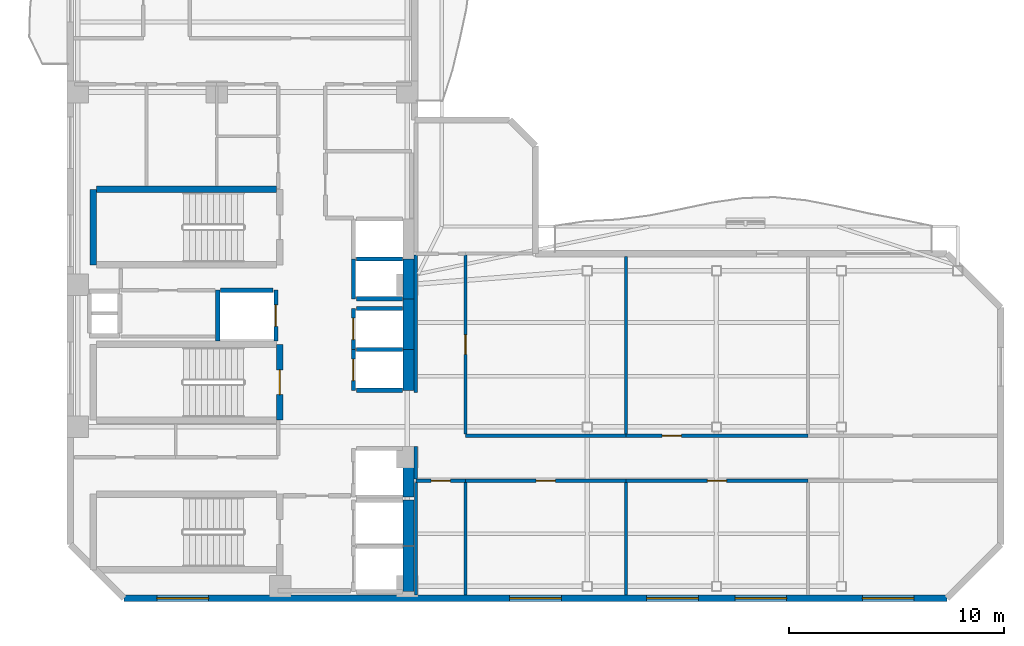
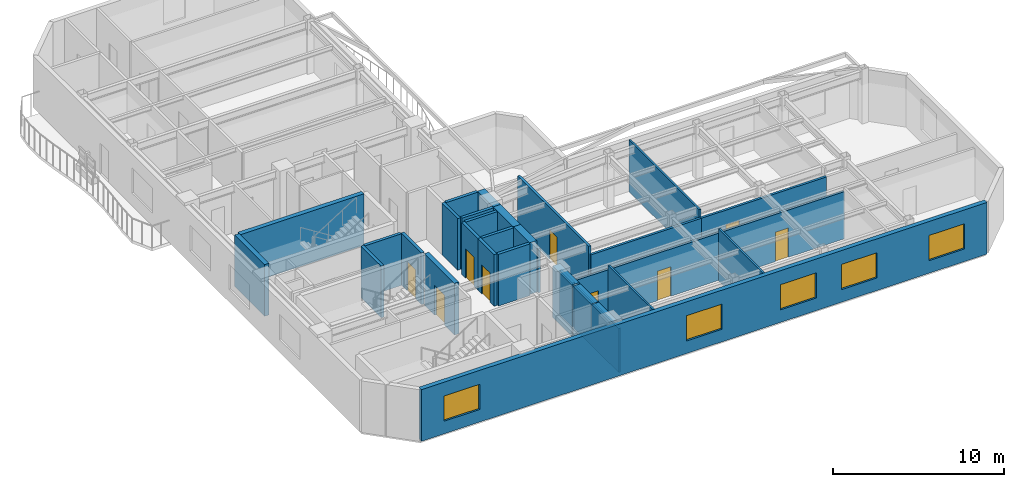
# One storey, part 3 of 9: 33 walls, 9 doors, 5 windows, 14 openings.
"""IFC4 building model written with IfcOpenShell, lengths in metres."""

import ifcopenshell
import ifcopenshell.guid

model = None  # the IFC model being written
_history = None  # IfcOwnerHistory: only IFC2X3 demands one
_inside = {}  # id of a spatial element -> (the spatial element, [elements in it])
_under = {}  # id of a project, library or spatial element -> (it, [spatial elements below it])
_declared = {}  # id of a project -> (the project, [libraries it declares])
_typed = {}  # id of a type object -> (the type object, [elements of that type])
_made_of = {}  # id of a material, layer set ... -> (it, [elements and type objects made of it])


def new_model(schema):
    """Start an empty IFC model of exactly this schema.

    Asked for "IFC4X3", IfcOpenShell would pick the latest addendum, in which some entities
    have other attributes; the version numbers below select the first issue.
    IFC2X3 requires an IfcOwnerHistory on every rooted entity: one is made here for all.
    """
    global model, _history
    if schema == "IFC4X3":
        model = ifcopenshell.file(schema_version=(4, 3, 0, 0))
    else:
        model = ifcopenshell.file(schema=schema)
    _inside.clear()
    _under.clear()
    _declared.clear()
    _typed.clear()
    _made_of.clear()
    _history = None
    if model.schema == "IFC2X3":
        org = make("IfcOrganization", Name="unknown")
        user = make(
            "IfcPersonAndOrganization",
            ThePerson=make("IfcPerson", FamilyName="unknown"),
            TheOrganization=org,
        )
        app = make(
            "IfcApplication",
            ApplicationDeveloper=org,
            Version="unknown",
            ApplicationFullName="unknown",
            ApplicationIdentifier="unknown",
        )
        _history = make(
            "IfcOwnerHistory",
            OwningUser=user,
            OwningApplication=app,
            ChangeAction="ADDED",
            CreationDate=0,
        )
    return model


def make(cls, **values):
    """One entity of the class cls with the attributes given. An attribute that is None is left unset."""
    return model.create_entity(
        cls, **{name: value for name, value in values.items() if value is not None}
    )


def rooted(cls, **values):
    """An entity with a GlobalId (a new one), such as an element, a storey or a relation."""
    return make(cls, GlobalId=ifcopenshell.guid.new(), OwnerHistory=_history, **values)


def si_unit(unit_type, name, prefix=None):
    """IfcSIUnit, for example si_unit("LENGTHUNIT", "METRE", prefix="MILLI")."""
    return make("IfcSIUnit", UnitType=unit_type, Prefix=prefix, Name=name)


def assignment(units):
    """IfcUnitAssignment: the units of a project."""
    return None if units is None else make("IfcUnitAssignment", Units=units)


def point(xyz):
    """IfcCartesianPoint."""
    return None if xyz is None else make("IfcCartesianPoint", Coordinates=xyz)


def direction(xyz):
    """IfcDirection."""
    return None if xyz is None else make("IfcDirection", DirectionRatios=xyz)


def frame(location, z_axis=None, x_axis=None):
    """IfcAxis2Placement3D, a coordinate frame: its origin and axes. An axis left out is left unset."""
    return make(
        "IfcAxis2Placement3D",
        Location=point(location),
        Axis=direction(z_axis),
        RefDirection=direction(x_axis),
    )


def frame_2d(location, x_axis=None):
    """IfcAxis2Placement2D, a coordinate frame in the plane: its origin and x axis."""
    return make(
        "IfcAxis2Placement2D", Location=point(location), RefDirection=direction(x_axis)
    )


def origin():
    """The frame at (0, 0, 0) with its axes left unset."""
    return frame((0.0, 0.0, 0.0))


def place(relative_to, where):
    """IfcLocalPlacement: puts the frame where relative to a parent placement (None: the world)."""
    return make(
        "IfcLocalPlacement", PlacementRelTo=relative_to, RelativePlacement=where
    )


def context(
    kind, dimensions, precision=None, world=None, true_north=None, identifier=None
):
    """IfcGeometricRepresentationContext, for example the 3D "Model" context."""
    return make(
        "IfcGeometricRepresentationContext",
        ContextIdentifier=identifier,
        ContextType=kind,
        CoordinateSpaceDimension=dimensions,
        Precision=precision,
        WorldCoordinateSystem=world,
        TrueNorth=true_north,
    )


def subcontext(parent, identifier, kind, view, scale=None):
    """IfcGeometricRepresentationSubContext, for example "Body" below "Model"."""
    return make(
        "IfcGeometricRepresentationSubContext",
        ContextIdentifier=identifier,
        ContextType=kind,
        ParentContext=parent,
        TargetScale=scale,
        TargetView=view,
    )


def project(units=None, contexts=None):
    """IfcProject with its units and contexts."""
    return rooted(
        "IfcProject",
        Name="project",
        RepresentationContexts=contexts,
        UnitsInContext=assignment(units),
    )


def spatial(cls, under=None, at=None, **own):
    """A site, building, storey or space (cls), placed at a placement, below another one or the project."""
    s = rooted(cls, ObjectPlacement=at, **own)
    if under is not None:
        _under.setdefault(under.id(), (under, []))[1].append(s)
    return s


def profile(cls, at=None, kind="AREA", **sizes):
    """A parametric profile (cls). Its sizes go by their IFC names, for example OverallWidth=200.0."""
    return make(cls, ProfileType=kind, Position=at, **sizes)


def rectangle(**sizes):
    """IfcRectangleProfileDef."""
    return profile("IfcRectangleProfileDef", **sizes)


def extrude(swept, where, along, depth):
    """IfcExtrudedAreaSolid: the profile swept, set in the frame where, extruded along a direction by depth."""
    return make(
        "IfcExtrudedAreaSolid",
        SweptArea=swept,
        Position=where,
        ExtrudedDirection=direction(along),
        Depth=depth,
    )


def shape(context_of_items, identifier, shape_type, items):
    """IfcShapeRepresentation: the items that make up one representation, for example the "Body"."""
    return make(
        "IfcShapeRepresentation",
        ContextOfItems=context_of_items,
        RepresentationIdentifier=identifier,
        RepresentationType=shape_type,
        Items=items,
    )


def material(Name=None, Category=None):
    """IfcMaterial."""
    return make("IfcMaterial", Name=Name, Category=Category)


def layer(
    of_material, thickness, ventilated=None, Name=None, Category=None, Priority=None
):
    """IfcMaterialLayer: one layer of a wall or slab, of a material (None: an air gap)."""
    return make(
        "IfcMaterialLayer",
        Material=of_material,
        LayerThickness=thickness,
        IsVentilated=ventilated,
        Name=Name,
        Category=Category,
        Priority=Priority,
    )


def layer_set(layers, Name=None):
    """IfcMaterialLayerSet."""
    return make("IfcMaterialLayerSet", MaterialLayers=layers, LayerSetName=Name)


def made_of(thing, what):
    """Note that an element or type object is made of a material, layer set ...; save() writes the relation."""
    if what is not None:
        _made_of.setdefault(what.id(), (what, []))[1].append(thing)
    return thing


def type_object(cls, material=None, **own):
    """A type object (cls), such as IfcWallType, which elements share."""
    return made_of(rooted(cls, **own), material)


def element(
    cls,
    number,
    at=None,
    inside=None,
    cuts=None,
    type_object=None,
    material=None,
    context=None,
    identifier="Body",
    shape_type=None,
    held_by="IfcProductDefinitionShape",
    body=None,
    shapes=None,
    **own,
):
    """One element of the class cls, such as IfcWall. Its Tag is "e" and its number.

    at: its placement. inside: the storey or other place that contains it. cuts: it is an
    opening in that element (IfcRelVoidsElement). A single representation is given by context,
    identifier, shape_type and body (its items); several are given by shapes. held_by: the class
    of the entity that holds the representations. save() writes the other relations.
    """
    e = rooted(cls, Tag="e%d" % number, ObjectPlacement=at, **own)
    if body is not None:
        shapes = [shape(context, identifier, shape_type, body)]
    if shapes is not None:
        e.Representation = make(held_by, Representations=shapes)
    if inside is not None:
        _inside.setdefault(inside.id(), (inside, []))[1].append(e)
    if cuts is not None:
        rooted(
            "IfcRelVoidsElement", RelatingBuildingElement=cuts, RelatedOpeningElement=e
        )
    if type_object is not None:
        _typed.setdefault(type_object.id(), (type_object, []))[1].append(e)
    return made_of(e, material)


def fill(opening, filler):
    """IfcRelFillsElement: the door or window that sits in an opening."""
    return rooted(
        "IfcRelFillsElement",
        RelatingOpeningElement=opening,
        RelatedBuildingElement=filler,
    )


def aggregate(whole, parts):
    """IfcRelAggregates: a whole, such as a stair, and the parts it consists of."""
    return rooted("IfcRelAggregates", RelatingObject=whole, RelatedObjects=parts)


def save(model, path):
    """Write the relations noted so far, then the file.

    IfcRelAggregates (storeys below a building ...), IfcRelContainedInSpatialStructure (elements
    in a storey), IfcRelDefinesByType, IfcRelAssociatesMaterial and IfcRelDeclares: one each for
    every whole, place, type object, material and project.
    """
    for whole, parts in _under.values():
        aggregate(whole, parts)
    for where, things in _inside.values():
        rooted(
            "IfcRelContainedInSpatialStructure",
            RelatedElements=things,
            RelatingStructure=where,
        )
    for kind, things in _typed.values():
        rooted("IfcRelDefinesByType", RelatedObjects=things, RelatingType=kind)
    for what, things in _made_of.values():
        rooted("IfcRelAssociatesMaterial", RelatedObjects=things, RelatingMaterial=what)
    for by, libraries in _declared.values():
        rooted("IfcRelDeclares", RelatingContext=by, RelatedDefinitions=libraries)
    model.write(path)


model = new_model("IFC4")

# Units and contexts
model_context = context("Model", 3, precision=1e-05, world=origin(), true_north=direction((0.0, 1.0)))
body_context = subcontext(model_context, "Body", "Model", "MODEL_VIEW")
ifc_project = project(units=[si_unit("LENGTHUNIT", "METRE"), si_unit("AREAUNIT", "SQUARE_METRE"), si_unit("VOLUMEUNIT", "CUBIC_METRE"), si_unit("PLANEANGLEUNIT", "RADIAN"), si_unit("MASSUNIT", "GRAM", prefix="KILO")], contexts=[model_context])

# Site, building, storey
site_placement = place(None, origin())
site = spatial("IfcSite", under=ifc_project, at=site_placement, CompositionType="ELEMENT")
building_placement = place(site_placement, origin())
building = spatial("IfcBuilding", under=site, at=building_placement, Name="Mawjaban Terraces University", CompositionType="ELEMENT")
storey_placement = place(building_placement, frame((0.0, 0.0, 226.5)))
storey = spatial("IfcBuildingStorey", under=building, at=storey_placement, Name="L55", CompositionType="ELEMENT", Elevation=226.5)

# Walls
ifc_material_1 = material(Name="Concrete C60/75", Category="concrete")
ifc_layer_1 = layer(ifc_material_1, 0.5)
ifc_layer_set_1 = layer_set([ifc_layer_1], Name="Concrete C60/75")
wall_type_1 = type_object("IfcWallType", Name="CoreShearWall_500", PredefinedType="SHEAR", material=ifc_layer_set_1)
wall_1_placement = place(storey_placement, frame((37.699951171875, 0.300048828125, 0.0), z_axis=(0.0, 0.0, 1.0), x_axis=(0.0, 1.0, 0.0)))
element("IfcWall", 1, at=wall_1_placement, inside=storey, type_object=wall_type_1, Name="L55 Lift FL-1 Hoistway Wall East", PredefinedType="SHEAR", context=body_context, shape_type="SweptSolid", body=[
    extrude(rectangle(XDim=2.099853515625, YDim=0.5, at=frame_2d((1.0498046875, 0.0))), origin(), (0.0, 0.0, 1.0), 3.68994140625),
])
wall_2_placement = place(storey_placement, frame((37.699951171875, 2.449951171875, 0.0), z_axis=(0.0, 0.0, 1.0), x_axis=(0.0, 1.0, 0.0)))
element("IfcWall", 2, at=wall_2_placement, inside=storey, type_object=wall_type_1, Name="L55 Lift FL-2 Hoistway Wall East", PredefinedType="SHEAR", context=body_context, shape_type="SweptSolid", body=[
    extrude(rectangle(XDim=2.10009765625, YDim=0.5, at=frame_2d((1.050048828125, 0.0))), origin(), (0.0, 0.0, 1.0), 3.68994140625),
])
wall_3_placement = place(storey_placement, frame((37.699951171875, 4.699951171875, 0.0), z_axis=(0.0, 0.0, 1.0), x_axis=(0.0, 1.0, 0.0)))
element("IfcWall", 3, at=wall_3_placement, inside=storey, type_object=wall_type_1, Name="L55 Lift SL-1 Hoistway Wall East", PredefinedType="SHEAR", context=body_context, shape_type="SweptSolid", body=[
    extrude(rectangle(XDim=2.25, YDim=0.5, at=frame_2d((1.125, 0.0))), origin(), (0.0, 0.0, 1.0), 3.68994140625),
])
wall_4_placement = place(storey_placement, frame((37.699951171875, 9.64990234375, 0.0), z_axis=(0.0, 0.0, 1.0), x_axis=(0.0, 1.0, 0.0)))
element("IfcWall", 4, at=wall_4_placement, inside=storey, type_object=wall_type_1, Name="L55 Lift PL-H1 Hoistway Wall East", PredefinedType="SHEAR", context=body_context, shape_type="SweptSolid", body=[
    extrude(rectangle(XDim=1.900146484375, YDim=0.5, at=frame_2d((0.9501953125, 0.0))), origin(), (0.0, 0.0, 1.0), 3.68994140625),
])
wall_5_placement = place(storey_placement, frame((37.699951171875, 11.550048828125, 0.0), z_axis=(0.0, 0.0, 1.0), x_axis=(0.0, 1.0, 0.0)))
element("IfcWall", 5, at=wall_5_placement, inside=storey, type_object=wall_type_1, Name="L55 Lift PL-H2 Hoistway Wall East", PredefinedType="SHEAR", context=body_context, shape_type="SweptSolid", body=[
    extrude(rectangle(XDim=2.349853515625, YDim=0.5, at=frame_2d((1.1748046875, 0.0))), origin(), (0.0, 0.0, 1.0), 3.68994140625),
])
wall_6_placement = place(storey_placement, frame((37.699951171875, 13.89990234375, 0.0), z_axis=(0.0, 0.0, 1.0), x_axis=(0.0, 1.0, 0.0)))
element("IfcWall", 6, at=wall_6_placement, inside=storey, type_object=wall_type_1, Name="L55 Lift OL-1 Hoistway Wall East", PredefinedType="SHEAR", context=body_context, shape_type="SweptSolid", body=[
    extrude(rectangle(XDim=1.85009765625, YDim=0.5, at=frame_2d((0.925048828125, 0.0))), origin(), (0.0, 0.0, 1.0), 3.68994140625),
])

# Wall, opening, door
ifc_material_2 = material(Name="Fire-rated gypsum board on steel stud", Category="steel")
ifc_layer_2 = layer(ifc_material_2, 0.159912109375)
ifc_layer_set_2 = layer_set([ifc_layer_2], Name="Fire-rated gypsum board on steel stud")
wall_type_2 = type_object("IfcWallType", Name="CorridorPartition_160", PredefinedType="PARTITIONING", material=ifc_layer_set_2)
wall_7_placement = place(storey_placement, frame((38.050048828125, 5.449951171875, 0.0), z_axis=(0.0, 0.0, 1.0), x_axis=(1.0, 0.0, 0.0)))
wall_7 = element("IfcWall", 7, at=wall_7_placement, inside=storey, type_object=wall_type_2, Name="L55 South Spine Spur Link Partition 22", PredefinedType="PARTITIONING", context=body_context, shape_type="SweptSolid", body=[
    extrude(rectangle(XDim=2.300048828125, YDim=0.159912109375, at=frame_2d((1.14990234375, 0.0))), origin(), (0.0, 0.0, 1.0), 3.3720703125),
])
opening_1_placement = place(wall_7_placement, frame((0.699951171875, 0.0, 0.0)))
opening_1 = element("IfcOpeningElement", 8, at=opening_1_placement, cuts=wall_7, Name="Opening ID-090", PredefinedType="OPENING", context=body_context, shape_type="SweptSolid", body=[
    extrude(rectangle(XDim=0.89990234375, YDim=2.10009765625, at=frame_2d((0.449951171875, 1.050048828125))), frame((0.0, 0.08984375, 0.0), z_axis=(0.0, -1.0, 0.0), x_axis=(1.0, 0.0, 0.0)), (0.0, 0.0, 1.0), 0.179931640625),
])
ifc_material_3 = material(Name="Powder-coated steel frame and solid acoustic timber leaf", Category="steel")
door_type_1 = type_object("IfcDoorType", Name="OfficeDoor_900x2100", OperationType="NOTDEFINED", PredefinedType="DOOR", material=ifc_material_3)
door_1_placement = place(opening_1_placement, origin())
door_1 = element("IfcDoor", 9, at=door_1_placement, inside=storey, type_object=door_type_1, Name="L55 Academic Counseling Room 1 Door", OperationType="SINGLE_SWING_LEFT", OverallHeight=2.10009765625, OverallWidth=0.89990234375, PredefinedType="DOOR", context=body_context, shape_type="SweptSolid", body=[
    extrude(rectangle(XDim=0.89990234375, YDim=2.10009765625, at=frame_2d((0.449951171875, 1.050048828125))), frame((0.0, 0.02490234375, 0.0), z_axis=(0.0, -1.0, 0.0), x_axis=(1.0, 0.0, 0.0)), (0.0, 0.0, 1.0), 0.050048828125),
])
fill(opening_1, door_1)

wall_8_placement = place(storey_placement, frame((40.35009765625, 5.449951171875, 0.0), z_axis=(0.0, 0.0, 1.0), x_axis=(1.0, 0.0, 0.0)))
wall_8 = element("IfcWall", 10, at=wall_8_placement, inside=storey, type_object=wall_type_2, Name="L55 South Shifted Academic Corridor Partition 23", PredefinedType="PARTITIONING", context=body_context, shape_type="SweptSolid", body=[
    extrude(rectangle(XDim=7.449951171875, YDim=0.159912109375, at=frame_2d((3.72509765625, 0.0))), origin(), (0.0, 0.0, 1.0), 3.3720703125),
])
opening_2_placement = place(wall_8_placement, frame((3.27490234375, 0.0, 0.0)))
opening_2 = element("IfcOpeningElement", 11, at=opening_2_placement, cuts=wall_8, Name="Opening ID-090", PredefinedType="OPENING", context=body_context, shape_type="SweptSolid", body=[
    extrude(rectangle(XDim=0.89990234375, YDim=2.10009765625, at=frame_2d((0.449951171875, 1.050048828125))), frame((0.0, 0.08984375, 0.0), z_axis=(0.0, -1.0, 0.0), x_axis=(1.0, 0.0, 0.0)), (0.0, 0.0, 1.0), 0.179931640625),
])
door_2_placement = place(opening_2_placement, origin())
door_2 = element("IfcDoor", 12, at=door_2_placement, inside=storey, type_object=door_type_1, Name="L55 Academic Counseling Room 2 Door", OperationType="SINGLE_SWING_RIGHT", OverallHeight=2.10009765625, OverallWidth=0.89990234375, PredefinedType="DOOR", context=body_context, shape_type="SweptSolid", body=[
    extrude(rectangle(XDim=0.89990234375, YDim=2.10009765625, at=frame_2d((0.449951171875, 1.050048828125))), frame((0.0, 0.02490234375, 0.0), z_axis=(0.0, -1.0, 0.0), x_axis=(1.0, 0.0, 0.0)), (0.0, 0.0, 1.0), 0.050048828125),
])
fill(opening_2, door_2)

wall_9_placement = place(storey_placement, frame((47.800048828125, 5.449951171875, 0.0), z_axis=(0.0, 0.0, 1.0), x_axis=(1.0, 0.0, 0.0)))
wall_9 = element("IfcWall", 13, at=wall_9_placement, inside=storey, type_object=wall_type_2, Name="L55 South Shifted Academic Corridor Partition 26", PredefinedType="PARTITIONING", context=body_context, shape_type="SweptSolid", body=[
    extrude(rectangle(XDim=8.449951171875, YDim=0.159912109375, at=frame_2d((4.22509765625, 0.0))), origin(), (0.0, 0.0, 1.0), 3.3720703125),
])
opening_3_placement = place(wall_9_placement, frame((3.77490234375, 0.0, 0.0)))
opening_3 = element("IfcOpeningElement", 14, at=opening_3_placement, cuts=wall_9, Name="Opening ID-090", PredefinedType="OPENING", context=body_context, shape_type="SweptSolid", body=[
    extrude(rectangle(XDim=0.89990234375, YDim=2.10009765625, at=frame_2d((0.449951171875, 1.050048828125))), frame((0.0, 0.08984375, 0.0), z_axis=(0.0, -1.0, 0.0), x_axis=(1.0, 0.0, 0.0)), (0.0, 0.0, 1.0), 0.179931640625),
])
door_3_placement = place(opening_3_placement, origin())
door_3 = element("IfcDoor", 15, at=door_3_placement, inside=storey, type_object=door_type_1, Name="L55 Academic Counseling Room 4 Door", OperationType="SINGLE_SWING_RIGHT", OverallHeight=2.10009765625, OverallWidth=0.89990234375, PredefinedType="DOOR", context=body_context, shape_type="SweptSolid", body=[
    extrude(rectangle(XDim=0.89990234375, YDim=2.10009765625, at=frame_2d((0.449951171875, 1.050048828125))), frame((0.0, 0.02490234375, 0.0), z_axis=(0.0, -1.0, 0.0), x_axis=(1.0, 0.0, 0.0)), (0.0, 0.0, 1.0), 0.050048828125),
])
fill(opening_3, door_3)

# Wall
wall_10_placement = place(storey_placement, frame((47.800048828125, 7.550048828125, 0.0), z_axis=(0.0, 0.0, 1.0), x_axis=(-1.0, 0.0, 0.0)))
element("IfcWall", 16, at=wall_10_placement, inside=storey, type_object=wall_type_2, Name="L55 South Shifted Academic Corridor Partition 27", PredefinedType="PARTITIONING", context=body_context, shape_type="SweptSolid", body=[
    extrude(rectangle(XDim=7.449951171875, YDim=0.159912109375, at=frame_2d((3.72509765625, 0.0))), origin(), (0.0, 0.0, 1.0), 3.14599609375),
])

# Wall, opening, door
wall_11_placement = place(storey_placement, frame((56.25, 7.550048828125, 0.0), z_axis=(0.0, 0.0, 1.0), x_axis=(-1.0, 0.0, 0.0)))
wall_11 = element("IfcWall", 17, at=wall_11_placement, inside=storey, type_object=wall_type_2, Name="L55 South Shifted Academic Corridor Partition 29", PredefinedType="PARTITIONING", context=body_context, shape_type="SweptSolid", body=[
    extrude(rectangle(XDim=8.449951171875, YDim=0.159912109375, at=frame_2d((4.22509765625, 0.0))), origin(), (0.0, 0.0, 1.0), 3.14599609375),
])
opening_4_placement = place(wall_11_placement, frame((5.875, 0.0, 0.0)))
opening_4 = element("IfcOpeningElement", 18, at=opening_4_placement, cuts=wall_11, Name="Opening ID-090", PredefinedType="OPENING", context=body_context, shape_type="SweptSolid", body=[
    extrude(rectangle(XDim=0.89990234375, YDim=2.10009765625, at=frame_2d((0.449951171875, 1.050048828125))), frame((0.0, 0.08984375, 0.0), z_axis=(0.0, -1.0, 0.0), x_axis=(1.0, 0.0, 0.0)), (0.0, 0.0, 1.0), 0.179931640625),
])
door_4_placement = place(opening_4_placement, origin())
door_4 = element("IfcDoor", 19, at=door_4_placement, inside=storey, type_object=door_type_1, Name="L55 Faculty Office 5 Door", OperationType="SINGLE_SWING_LEFT", OverallHeight=2.10009765625, OverallWidth=0.89990234375, PredefinedType="DOOR", context=body_context, shape_type="SweptSolid", body=[
    extrude(rectangle(XDim=0.89990234375, YDim=2.10009765625, at=frame_2d((0.449951171875, 1.050048828125))), frame((0.0, 0.02490234375, 0.0), z_axis=(0.0, -1.0, 0.0), x_axis=(1.0, 0.0, 0.0)), (0.0, 0.0, 1.0), 0.050048828125),
])
fill(opening_4, door_4)

# Walls
wall_12_placement = place(storey_placement, frame((38.050048828125, 7.050048828125, 0.0), z_axis=(0.0, 0.0, 1.0), x_axis=(0.0, -1.0, 0.0)))
element("IfcWall", 20, at=wall_12_placement, inside=storey, type_object=wall_type_2, Name="L55 South Spine Spur Link Partition 51", PredefinedType="PARTITIONING", context=body_context, shape_type="SweptSolid", body=[
    extrude(rectangle(XDim=1.525146484375, YDim=0.159912109375, at=frame_2d((0.7626953125, 0.0))), origin(), (0.0, 0.0, 1.0), 3.14599609375),
])
wall_13_placement = place(storey_placement, frame((38.050048828125, 15.925048828125, 0.0), z_axis=(0.0, 0.0, 1.0), x_axis=(0.0, -1.0, 0.0)))
element("IfcWall", 21, at=wall_13_placement, inside=storey, type_object=wall_type_2, Name="L55 South Spine Spur Link Partition 52", PredefinedType="PARTITIONING", context=body_context, shape_type="SweptSolid", body=[
    extrude(rectangle(XDim=6.375, YDim=0.159912109375, at=frame_2d((3.1875, 0.0))), origin(), (0.0, 0.0, 1.0), 3.14599609375),
])

# Wall, opening, door
wall_14_placement = place(storey_placement, frame((40.35009765625, 7.625, 0.0), z_axis=(0.0, 0.0, 1.0), x_axis=(0.0, 1.0, 0.0)))
wall_14 = element("IfcWall", 22, at=wall_14_placement, inside=storey, type_object=wall_type_2, Name="L55 South Spine Spur Link Partition 55", PredefinedType="PARTITIONING", context=body_context, shape_type="SweptSolid", body=[
    extrude(rectangle(XDim=8.300048828125, YDim=0.159912109375, at=frame_2d((4.14990234375, 0.0))), origin(), (0.0, 0.0, 1.0), 3.68994140625),
])
opening_5_placement = place(wall_14_placement, frame((3.699951171875, 0.0, 0.0)))
opening_5 = element("IfcOpeningElement", 23, at=opening_5_placement, cuts=wall_14, Name="Opening ID-090", PredefinedType="OPENING", context=body_context, shape_type="SweptSolid", body=[
    extrude(rectangle(XDim=0.89990234375, YDim=2.10009765625, at=frame_2d((0.449951171875, 1.050048828125))), frame((0.0, 0.08984375, 0.0), z_axis=(0.0, -1.0, 0.0), x_axis=(1.0, 0.0, 0.0)), (0.0, 0.0, 1.0), 0.179931640625),
])
door_5_placement = place(opening_5_placement, origin())
door_5 = element("IfcDoor", 24, at=door_5_placement, inside=storey, type_object=door_type_1, Name="L55 Academic Counseling Room 3 Door", OperationType="SINGLE_SWING_LEFT", OverallHeight=2.10009765625, OverallWidth=0.89990234375, PredefinedType="DOOR", context=body_context, shape_type="SweptSolid", body=[
    extrude(rectangle(XDim=0.89990234375, YDim=2.10009765625, at=frame_2d((0.449951171875, 1.050048828125))), frame((0.0, 0.02490234375, 0.0), z_axis=(0.0, -1.0, 0.0), x_axis=(1.0, 0.0, 0.0)), (0.0, 0.0, 1.0), 0.050048828125),
])
fill(opening_5, door_5)

# Wall, openings, windows
ifc_material_4 = material(Name="Insulated terracotta rainscreen on concrete backup C40/50", Category="masonry")
ifc_layer_3 = layer(ifc_material_4, 0.300048828125)
ifc_layer_set_3 = layer_set([ifc_layer_3], Name="Insulated terracotta rainscreen on concrete backup C40/50")
wall_type_3 = type_object("IfcWallType", Name="ExtTerracottaWall_300", PredefinedType="SOLIDWALL", material=ifc_layer_set_3)
wall_15_placement = place(storey_placement, frame((24.5, 0.0, 0.0), z_axis=(0.0, 0.0, 1.0), x_axis=(1.0, 0.0, 0.0)))
wall_15 = element("IfcWall", 25, at=wall_15_placement, inside=storey, type_object=wall_type_3, Name="L55 Exterior Terracotta Wall 1", PredefinedType="SOLIDWALL", context=body_context, shape_type="SweptSolid", body=[
    extrude(rectangle(XDim=38.199951171875, YDim=0.300048828125, at=frame_2d((19.10009765625, 0.0))), origin(), (0.0, 0.0, 1.0), 3.68994140625),
])
opening_6_placement = place(wall_15_placement, frame((1.529052734375, 0.0, 0.89990234375)))
opening_6 = element("IfcOpeningElement", 26, at=opening_6_placement, cuts=wall_15, Name="Opening W-08", PredefinedType="OPENING", context=body_context, shape_type="SweptSolid", body=[
    extrude(rectangle(XDim=2.39990234375, YDim=1.800048828125, at=frame_2d((1.199951171875, 0.89990234375))), frame((0.0, 0.159912109375, 0.0), z_axis=(0.0, -1.0, 0.0), x_axis=(1.0, 0.0, 0.0)), (0.0, 0.0, 1.0), 0.320068359375),
])
opening_7_placement = place(wall_15_placement, frame((17.89990234375, 0.0, 0.89990234375)))
opening_7 = element("IfcOpeningElement", 27, at=opening_7_placement, cuts=wall_15, Name="Opening W-08", PredefinedType="OPENING", context=body_context, shape_type="SweptSolid", body=[
    extrude(rectangle(XDim=2.39990234375, YDim=1.800048828125, at=frame_2d((1.199951171875, 0.89990234375))), frame((0.0, 0.159912109375, 0.0), z_axis=(0.0, -1.0, 0.0), x_axis=(1.0, 0.0, 0.0)), (0.0, 0.0, 1.0), 0.320068359375),
])
opening_8_placement = place(wall_15_placement, frame((24.257080078125, 0.0, 0.89990234375)))
opening_8 = element("IfcOpeningElement", 28, at=opening_8_placement, cuts=wall_15, Name="Opening W-08", PredefinedType="OPENING", context=body_context, shape_type="SweptSolid", body=[
    extrude(rectangle(XDim=2.39990234375, YDim=1.800048828125, at=frame_2d((1.199951171875, 0.89990234375))), frame((0.0, 0.159912109375, 0.0), z_axis=(0.0, -1.0, 0.0), x_axis=(1.0, 0.0, 0.0)), (0.0, 0.0, 1.0), 0.320068359375),
])
opening_9_placement = place(wall_15_placement, frame((28.364013671875, 0.0, 0.89990234375)))
opening_9 = element("IfcOpeningElement", 29, at=opening_9_placement, cuts=wall_15, Name="Opening W-08", PredefinedType="OPENING", context=body_context, shape_type="SweptSolid", body=[
    extrude(rectangle(XDim=2.39990234375, YDim=1.800048828125, at=frame_2d((1.199951171875, 0.89990234375))), frame((0.0, 0.159912109375, 0.0), z_axis=(0.0, -1.0, 0.0), x_axis=(1.0, 0.0, 0.0)), (0.0, 0.0, 1.0), 0.320068359375),
])
opening_10_placement = place(wall_15_placement, frame((34.27099609375, 0.0, 0.89990234375)))
opening_10 = element("IfcOpeningElement", 30, at=opening_10_placement, cuts=wall_15, Name="Opening W-08", PredefinedType="OPENING", context=body_context, shape_type="SweptSolid", body=[
    extrude(rectangle(XDim=2.39990234375, YDim=1.800048828125, at=frame_2d((1.199951171875, 0.89990234375))), frame((0.0, 0.159912109375, 0.0), z_axis=(0.0, -1.0, 0.0), x_axis=(1.0, 0.0, 0.0)), (0.0, 0.0, 1.0), 0.320068359375),
])
ifc_material_5 = material(Name="Low-E solar-control double glazing in thermally broken aluminium frame", Category="aluminium")
window_type = type_object("IfcWindowType", Name="Win_2400x1800", PartitioningType="SINGLE_PANEL", PredefinedType="WINDOW", material=ifc_material_5)
window_1_placement = place(opening_6_placement, origin())
window_1 = element("IfcWindow", 31, at=window_1_placement, inside=storey, type_object=window_type, Name="L55 Facade Window 1.1", OverallHeight=1.800048828125, OverallWidth=2.39990234375, PartitioningType="SINGLE_PANEL", PredefinedType="WINDOW", context=body_context, shape_type="SweptSolid", body=[
    extrude(rectangle(XDim=2.39990234375, YDim=1.800048828125, at=frame_2d((1.199951171875, 0.89990234375))), frame((0.0, 0.030029296875, 0.0), z_axis=(0.0, -1.0, 0.0), x_axis=(1.0, 0.0, 0.0)), (0.0, 0.0, 1.0), 0.06005859375),
])
fill(opening_6, window_1)
window_2_placement = place(opening_7_placement, origin())
window_2 = element("IfcWindow", 32, at=window_2_placement, inside=storey, type_object=window_type, Name="L55 Facade Window 1.4", OverallHeight=1.800048828125, OverallWidth=2.39990234375, PartitioningType="SINGLE_PANEL", PredefinedType="WINDOW", context=body_context, shape_type="SweptSolid", body=[
    extrude(rectangle(XDim=2.39990234375, YDim=1.800048828125, at=frame_2d((1.199951171875, 0.89990234375))), frame((0.0, 0.030029296875, 0.0), z_axis=(0.0, -1.0, 0.0), x_axis=(1.0, 0.0, 0.0)), (0.0, 0.0, 1.0), 0.06005859375),
])
fill(opening_7, window_2)
window_3_placement = place(opening_8_placement, origin())
window_3 = element("IfcWindow", 33, at=window_3_placement, inside=storey, type_object=window_type, Name="L55 Facade Window 1.5", OverallHeight=1.800048828125, OverallWidth=2.39990234375, PartitioningType="SINGLE_PANEL", PredefinedType="WINDOW", context=body_context, shape_type="SweptSolid", body=[
    extrude(rectangle(XDim=2.39990234375, YDim=1.800048828125, at=frame_2d((1.199951171875, 0.89990234375))), frame((0.0, 0.030029296875, 0.0), z_axis=(0.0, -1.0, 0.0), x_axis=(1.0, 0.0, 0.0)), (0.0, 0.0, 1.0), 0.06005859375),
])
fill(opening_8, window_3)
window_4_placement = place(opening_9_placement, origin())
window_4 = element("IfcWindow", 34, at=window_4_placement, inside=storey, type_object=window_type, Name="L55 Facade Window 1.6", OverallHeight=1.800048828125, OverallWidth=2.39990234375, PartitioningType="SINGLE_PANEL", PredefinedType="WINDOW", context=body_context, shape_type="SweptSolid", body=[
    extrude(rectangle(XDim=2.39990234375, YDim=1.800048828125, at=frame_2d((1.199951171875, 0.89990234375))), frame((0.0, 0.030029296875, 0.0), z_axis=(0.0, -1.0, 0.0), x_axis=(1.0, 0.0, 0.0)), (0.0, 0.0, 1.0), 0.06005859375),
])
fill(opening_9, window_4)
window_5_placement = place(opening_10_placement, origin())
window_5 = element("IfcWindow", 35, at=window_5_placement, inside=storey, type_object=window_type, Name="L55 Facade Window 1.7", OverallHeight=1.800048828125, OverallWidth=2.39990234375, PartitioningType="SINGLE_PANEL", PredefinedType="WINDOW", context=body_context, shape_type="SweptSolid", body=[
    extrude(rectangle(XDim=2.39990234375, YDim=1.800048828125, at=frame_2d((1.199951171875, 0.89990234375))), frame((0.0, 0.030029296875, 0.0), z_axis=(0.0, -1.0, 0.0), x_axis=(1.0, 0.0, 0.0)), (0.0, 0.0, 1.0), 0.06005859375),
])
fill(opening_10, window_5)

# Wall, opening, door
ifc_material_6 = material(Name="Concrete C40/50", Category="concrete")
ifc_layer_4 = layer(ifc_material_6, 0.199951171875)
ifc_layer_set_4 = layer_set([ifc_layer_4], Name="Concrete C40/50")
wall_type_4 = type_object("IfcWallType", Name="FireLobbyWall_200", PredefinedType="SOLIDWALL", material=ifc_layer_set_4)
wall_16_placement = place(storey_placement, frame((35.14990234375, 11.550048828125, 0.0), z_axis=(0.0, 0.0, 1.0), x_axis=(0.0, -1.0, 0.0)))
wall_16 = element("IfcWall", 36, at=wall_16_placement, inside=storey, type_object=wall_type_4, Name="L55 Lift PL-H1 Hoistway Wall West", PredefinedType="SOLIDWALL", context=body_context, shape_type="SweptSolid", body=[
    extrude(rectangle(XDim=1.900146484375, YDim=0.199951171875, at=frame_2d((0.9501953125, 0.0))), origin(), (0.0, 0.0, 1.0), 3.68994140625),
])
opening_11_placement = place(wall_16_placement, frame((0.449951171875, 0.0, 0.0)))
opening_11 = element("IfcOpeningElement", 37, at=opening_11_placement, cuts=wall_16, Name="Opening LD-PL-H1", PredefinedType="OPENING", context=body_context, shape_type="SweptSolid", body=[
    extrude(rectangle(XDim=1.0, YDim=2.10009765625, at=frame_2d((0.5, 1.050048828125))), frame((0.0, 0.10986328125, 0.0), z_axis=(0.0, -1.0, 0.0), x_axis=(1.0, 0.0, 0.0)), (0.0, 0.0, 1.0), 0.219970703125),
])
ifc_material_7 = material(Name="Powder-coated steel frame and fire-rated steel-faced leaf", Category="steel")
door_type_2 = type_object("IfcDoorType", Name="LiftLandingSliding_1000x2100", OperationType="NOTDEFINED", PredefinedType="DOOR", material=ifc_material_7)
door_6_placement = place(opening_11_placement, origin())
door_6 = element("IfcDoor", 38, at=door_6_placement, inside=storey, type_object=door_type_2, Name="L55 Lift PL-H1 Sliding Landing Door", OperationType="DOUBLE_DOOR_SLIDING", OverallHeight=2.10009765625, OverallWidth=1.0, PredefinedType="DOOR", context=body_context, shape_type="SweptSolid", body=[
    extrude(rectangle(XDim=1.0, YDim=2.10009765625, at=frame_2d((0.5, 1.050048828125))), frame((0.0, 0.02490234375, 0.0), z_axis=(0.0, -1.0, 0.0), x_axis=(1.0, 0.0, 0.0)), (0.0, 0.0, 1.0), 0.050048828125),
])
fill(opening_11, door_6)

# Walls
for number, where, z_axis, x_axis, name in (
    (39, (35.280029296875, 9.64990234375, 0.0), (0.0, 0.0, 1.0), (1.0, 0.0, 0.0), "L55 Lift PL-H1 Hoistway Wall South"),
    (40, (37.419921875, 11.550048828125, 0.0), (0.0, 0.0, 1.0), (-1.0, 0.0, 0.0), "L55 Lift PL-H1 Hoistway Wall North"),
):
    element("IfcWall", number, at=place(storey_placement, frame(where, z_axis=z_axis, x_axis=x_axis)), inside=storey, type_object=wall_type_4, Name=name, PredefinedType="SOLIDWALL", context=body_context, shape_type="SweptSolid", body=[
        extrude(rectangle(XDim=2.139892578125, YDim=0.199951171875, at=frame_2d((1.06982421875, 0.0))), origin(), (0.0, 0.0, 1.0), 3.68994140625),
    ])

# Wall, opening, door
wall_17_placement = place(storey_placement, frame((35.14990234375, 13.449951171875, 0.0), z_axis=(0.0, 0.0, 1.0), x_axis=(0.0, -1.0, 0.0)))
wall_17 = element("IfcWall", 41, at=wall_17_placement, inside=storey, type_object=wall_type_4, Name="L55 Lift PL-H2 Hoistway Wall West", PredefinedType="SOLIDWALL", context=body_context, shape_type="SweptSolid", body=[
    extrude(rectangle(XDim=1.89990234375, YDim=0.199951171875, at=frame_2d((0.949951171875, 0.0))), origin(), (0.0, 0.0, 1.0), 3.68994140625),
])
opening_12_placement = place(wall_17_placement, frame((0.449951171875, 0.0, 0.0)))
opening_12 = element("IfcOpeningElement", 42, at=opening_12_placement, cuts=wall_17, Name="Opening LD-PL-H2", PredefinedType="OPENING", context=body_context, shape_type="SweptSolid", body=[
    extrude(rectangle(XDim=1.0, YDim=2.10009765625, at=frame_2d((0.5, 1.050048828125))), frame((0.0, 0.10986328125, 0.0), z_axis=(0.0, -1.0, 0.0), x_axis=(1.0, 0.0, 0.0)), (0.0, 0.0, 1.0), 0.219970703125),
])
door_7_placement = place(opening_12_placement, origin())
door_7 = element("IfcDoor", 43, at=door_7_placement, inside=storey, type_object=door_type_2, Name="L55 Lift PL-H2 Sliding Landing Door", OperationType="DOUBLE_DOOR_SLIDING", OverallHeight=2.10009765625, OverallWidth=1.0, PredefinedType="DOOR", context=body_context, shape_type="SweptSolid", body=[
    extrude(rectangle(XDim=1.0, YDim=2.10009765625, at=frame_2d((0.5, 1.050048828125))), frame((0.0, 0.02490234375, 0.0), z_axis=(0.0, -1.0, 0.0), x_axis=(1.0, 0.0, 0.0)), (0.0, 0.0, 1.0), 0.050048828125),
])
fill(opening_12, door_7)

# Walls
wall_18_placement = place(storey_placement, frame((37.419921875, 13.449951171875, 0.0), z_axis=(0.0, 0.0, 1.0), x_axis=(-1.0, 0.0, 0.0)))
element("IfcWall", 44, at=wall_18_placement, inside=storey, type_object=wall_type_4, Name="L55 Lift PL-H2 Hoistway Wall North", PredefinedType="SOLIDWALL", context=body_context, shape_type="SweptSolid", body=[
    extrude(rectangle(XDim=2.139892578125, YDim=0.199951171875, at=frame_2d((1.06982421875, 0.0))), origin(), (0.0, 0.0, 1.0), 3.68994140625),
])
wall_19_placement = place(storey_placement, frame((28.85009765625, 14.300048828125, 0.0), z_axis=(0.0, 0.0, 1.0), x_axis=(0.0, -1.0, 0.0)))
element("IfcWall", 45, at=wall_19_placement, inside=storey, type_object=wall_type_4, Name="L55 Lift PL-H3 Hoistway Wall West", PredefinedType="SOLIDWALL", context=body_context, shape_type="SweptSolid", body=[
    extrude(rectangle(XDim=2.3701171875, YDim=0.199951171875, at=frame_2d((1.18505859375, 0.0))), origin(), (0.0, 0.0, 1.0), 3.68994140625),
])

# Wall, opening, door
wall_20_placement = place(storey_placement, frame((31.550048828125, 11.929931640625, 0.0), z_axis=(0.0, 0.0, 1.0), x_axis=(0.0, 1.0, 0.0)))
wall_20 = element("IfcWall", 46, at=wall_20_placement, inside=storey, type_object=wall_type_4, Name="L55 Lift PL-H3 Hoistway Wall East", PredefinedType="SOLIDWALL", context=body_context, shape_type="SweptSolid", body=[
    extrude(rectangle(XDim=2.3701171875, YDim=0.199951171875, at=frame_2d((1.18505859375, 0.0))), origin(), (0.0, 0.0, 1.0), 3.68994140625),
])
opening_13_placement = place(wall_20_placement, frame((0.68505859375, 0.0, 0.0)))
opening_13 = element("IfcOpeningElement", 47, at=opening_13_placement, cuts=wall_20, Name="Opening LD-PL-H3", PredefinedType="OPENING", context=body_context, shape_type="SweptSolid", body=[
    extrude(rectangle(XDim=1.0, YDim=2.10009765625, at=frame_2d((0.5, 1.050048828125))), frame((0.0, 0.10986328125, 0.0), z_axis=(0.0, -1.0, 0.0), x_axis=(1.0, 0.0, 0.0)), (0.0, 0.0, 1.0), 0.219970703125),
])
door_8_placement = place(opening_13_placement, origin())
door_8 = element("IfcDoor", 48, at=door_8_placement, inside=storey, type_object=door_type_2, Name="L55 Lift PL-H3 Sliding Landing Door", OperationType="DOUBLE_DOOR_SLIDING", OverallHeight=2.10009765625, OverallWidth=1.0, PredefinedType="DOOR", context=body_context, shape_type="SweptSolid", body=[
    extrude(rectangle(XDim=1.0, YDim=2.10009765625, at=frame_2d((0.5, 1.050048828125))), frame((0.0, 0.02490234375, 0.0), z_axis=(0.0, -1.0, 0.0), x_axis=(1.0, 0.0, 0.0)), (0.0, 0.0, 1.0), 0.050048828125),
])
fill(opening_13, door_8)

# Walls
wall_21_placement = place(storey_placement, frame((31.419921875, 14.300048828125, 0.0), z_axis=(0.0, 0.0, 1.0), x_axis=(-1.0, 0.0, 0.0)))
element("IfcWall", 49, at=wall_21_placement, inside=storey, type_object=wall_type_4, Name="L55 Lift PL-H3 Hoistway Wall North", PredefinedType="SOLIDWALL", context=body_context, shape_type="SweptSolid", body=[
    extrude(rectangle(XDim=2.43994140625, YDim=0.199951171875, at=frame_2d((1.219970703125, 0.0))), origin(), (0.0, 0.0, 1.0), 3.68994140625),
])
wall_22_placement = place(storey_placement, frame((35.14990234375, 15.75, 0.0), z_axis=(0.0, 0.0, 1.0), x_axis=(0.0, -1.0, 0.0)))
element("IfcWall", 50, at=wall_22_placement, inside=storey, type_object=wall_type_4, Name="L55 Lift OL-1 Hoistway Wall West", PredefinedType="SOLIDWALL", context=body_context, shape_type="SweptSolid", body=[
    extrude(rectangle(XDim=1.85009765625, YDim=0.199951171875, at=frame_2d((0.925048828125, 0.0))), origin(), (0.0, 0.0, 1.0), 3.68994140625),
])
for number, where, z_axis, x_axis, name in (
    (51, (35.280029296875, 13.89990234375, 0.0), (0.0, 0.0, 1.0), (1.0, 0.0, 0.0), "L55 Lift OL-1 Hoistway Wall South"),
    (52, (37.419921875, 15.75, 0.0), (0.0, 0.0, 1.0), (-1.0, 0.0, 0.0), "L55 Lift OL-1 Hoistway Wall North"),
):
    element("IfcWall", number, at=place(storey_placement, frame(where, z_axis=z_axis, x_axis=x_axis)), inside=storey, type_object=wall_type_4, Name=name, PredefinedType="SOLIDWALL", context=body_context, shape_type="SweptSolid", body=[
        extrude(rectangle(XDim=2.139892578125, YDim=0.199951171875, at=frame_2d((1.06982421875, 0.0))), origin(), (0.0, 0.0, 1.0), 3.68994140625),
    ])
ifc_material_8 = material(Name="Gypsum plasterboard on steel stud", Category="steel")
ifc_layer_5 = layer(ifc_material_8, 0.125)
ifc_layer_set_5 = layer_set([ifc_layer_5], Name="Gypsum plasterboard on steel stud")
wall_type_5 = type_object("IfcWallType", Name="OfficePartition_125", PredefinedType="PARTITIONING", material=ifc_layer_set_5)
wall_23_placement = place(storey_placement, frame((38.050048828125, 5.375, 0.0), z_axis=(0.0, 0.0, 1.0), x_axis=(0.0, -1.0, 0.0)))
element("IfcWall", 53, at=wall_23_placement, inside=storey, type_object=wall_type_5, Name="L55 Academic Counseling Room 1 Partition 50", PredefinedType="PARTITIONING", context=body_context, shape_type="SweptSolid", body=[
    extrude(rectangle(XDim=5.22998046875, YDim=0.125, at=frame_2d((2.614990234375, 0.0))), origin(), (0.0, 0.0, 1.0), 3.14599609375),
])
for number, where, z_axis, x_axis, name in (
    (54, (40.35009765625, 0.14501953125, 0.0), (0.0, 0.0, 1.0), (0.0, 1.0, 0.0), "L55 Academic Counseling Room 1 Partition 54"),
    (55, (47.800048828125, 0.14501953125, 0.0), (0.0, 0.0, 1.0), (0.0, 1.0, 0.0), "L55 Academic Counseling Room 2 Partition 56"),
):
    element("IfcWall", number, at=place(storey_placement, frame(where, z_axis=z_axis, x_axis=x_axis)), inside=storey, type_object=wall_type_5, Name=name, PredefinedType="PARTITIONING", context=body_context, shape_type="SweptSolid", body=[
        extrude(rectangle(XDim=5.22998046875, YDim=0.125, at=frame_2d((2.614990234375, 0.0))), origin(), (0.0, 0.0, 1.0), 3.68994140625),
    ])
wall_24_placement = place(storey_placement, frame((47.800048828125, 7.625, 0.0), z_axis=(0.0, 0.0, 1.0), x_axis=(0.0, 1.0, 0.0)))
element("IfcWall", 56, at=wall_24_placement, inside=storey, type_object=wall_type_5, Name="L55 Academic Counseling Room 3 Partition 57", PredefinedType="PARTITIONING", context=body_context, shape_type="SweptSolid", body=[
    extrude(rectangle(XDim=8.22998046875, YDim=0.125, at=frame_2d((4.114990234375, 0.0))), origin(), (0.0, 0.0, 1.0), 3.68994140625),
])
ifc_layer_6 = layer(ifc_material_1, 0.300048828125)
ifc_layer_set_6 = layer_set([ifc_layer_6], Name="Concrete C60/75")
wall_type_6 = type_object("IfcWallType", Name="StairShaftWall_300", PredefinedType="SHEAR", material=ifc_layer_set_6)
wall_25_placement = place(storey_placement, frame((31.580078125, 18.97998046875, 0.0), z_axis=(0.0, 0.0, 1.0), x_axis=(-1.0, 0.0, 0.0)))
element("IfcWall", 57, at=wall_25_placement, inside=storey, type_object=wall_type_6, Name="L55 ST-2 Stair Shaft Wall 1", PredefinedType="SHEAR", context=body_context, shape_type="SweptSolid", body=[
    extrude(rectangle(XDim=8.360107421875, YDim=0.300048828125, at=frame_2d((4.18017578125, 0.0))), origin(), (0.0, 0.0, 1.0), 3.68994140625),
])
wall_26_placement = place(storey_placement, frame((23.070068359375, 18.97998046875, 0.0), z_axis=(0.0, 0.0, 1.0), x_axis=(0.0, -1.0, 0.0)))
element("IfcWall", 58, at=wall_26_placement, inside=storey, type_object=wall_type_6, Name="L55 ST-2 Stair Shaft Wall 2", PredefinedType="SHEAR", context=body_context, shape_type="SweptSolid", body=[
    extrude(rectangle(XDim=3.510009765625, YDim=0.300048828125, at=frame_2d((1.7548828125, 0.0))), origin(), (0.0, 0.0, 1.0), 3.68994140625),
])

# Wall, opening, door
wall_27_placement = place(storey_placement, frame((31.72998046875, 8.27001953125, 0.0), z_axis=(0.0, 0.0, 1.0), x_axis=(0.0, 1.0, 0.0)))
wall_27 = element("IfcWall", 59, at=wall_27_placement, inside=storey, type_object=wall_type_6, Name="L55 ST-3 Stair Shaft Wall 4", PredefinedType="SHEAR", context=body_context, shape_type="SweptSolid", body=[
    extrude(rectangle(XDim=3.510009765625, YDim=0.300048828125, at=frame_2d((1.7548828125, 0.0))), origin(), (0.0, 0.0, 1.0), 3.68994140625),
])
opening_14_placement = place(wall_27_placement, frame((1.179931640625, 0.0, 0.0)))
opening_14 = element("IfcOpeningElement", 60, at=opening_14_placement, cuts=wall_27, Name="Opening FD-115", PredefinedType="OPENING", context=body_context, shape_type="SweptSolid", body=[
    extrude(rectangle(XDim=1.14990234375, YDim=2.14990234375, at=frame_2d((0.574951171875, 1.074951171875))), frame((0.0, 0.159912109375, 0.0), z_axis=(0.0, -1.0, 0.0), x_axis=(1.0, 0.0, 0.0)), (0.0, 0.0, 1.0), 0.320068359375),
])
door_type_3 = type_object("IfcDoorType", Name="FireStairDoor_1150x2150", OperationType="NOTDEFINED", PredefinedType="DOOR", material=ifc_material_7)
door_9_placement = place(opening_14_placement, origin())
door_9 = element("IfcDoor", 61, at=door_9_placement, inside=storey, type_object=door_type_3, Name="L55 ST-3 Pressurised Stair Fire Door", OperationType="SINGLE_SWING_RIGHT", OverallHeight=2.14990234375, OverallWidth=1.14990234375, PredefinedType="DOOR", context=body_context, shape_type="SweptSolid", body=[
    extrude(rectangle(XDim=1.14990234375, YDim=2.14990234375, at=frame_2d((0.574951171875, 1.074951171875))), frame((0.0, 0.02490234375, 0.0), z_axis=(0.0, -1.0, 0.0), x_axis=(1.0, 0.0, 0.0)), (0.0, 0.0, 1.0), 0.050048828125),
])
fill(opening_14, door_9)

save(model, "model.ifc")
